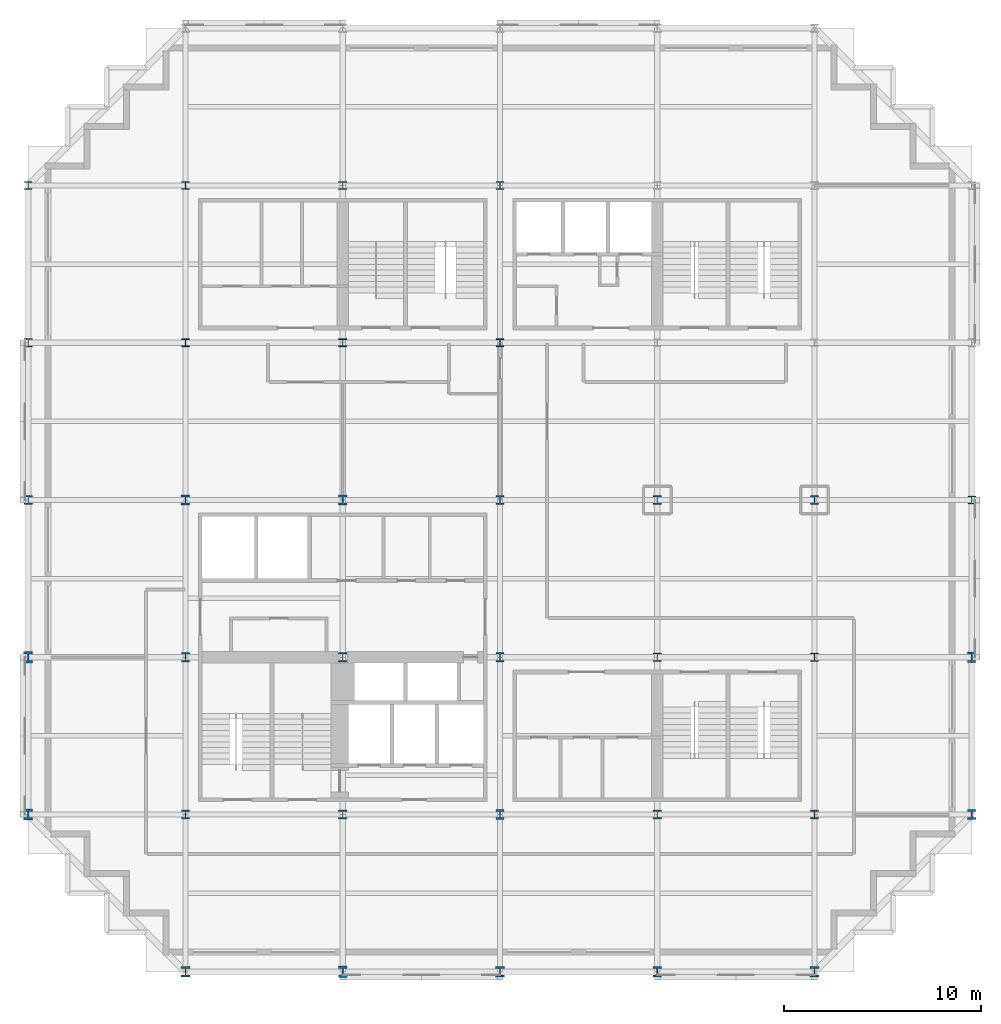
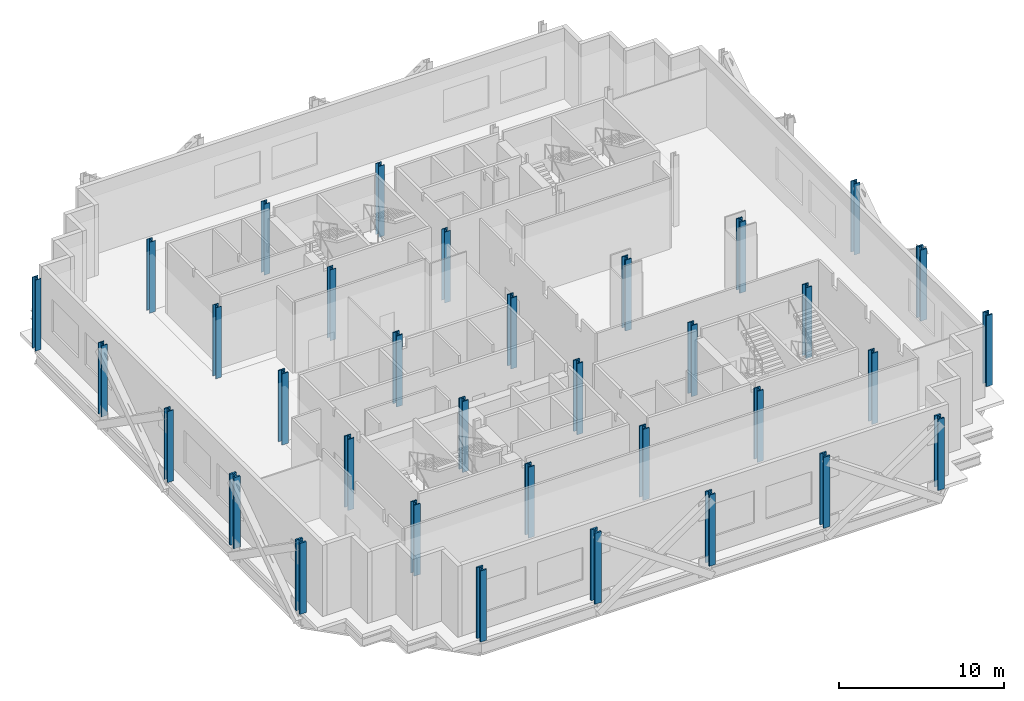
# One storey, part 1 of 10: 34 columns.
"""IFC4 building model written with IfcOpenShell, lengths in metres."""

from ifc_helpers import new_model, si_unit, direction, frame, origin, origin_2d, place, context, subcontext, project, spatial, i_section, extrude, material, material_profile, profile_set, type_object, element, save


model = new_model("IFC4")

# Units and contexts
model_context = context("Model", 3, precision=1e-05, world=origin(), true_north=direction((0.0, 1.0)))
body_context = subcontext(model_context, "Body", "Model", "MODEL_VIEW")
ifc_project = project(units=[si_unit("LENGTHUNIT", "METRE"), si_unit("AREAUNIT", "SQUARE_METRE"), si_unit("VOLUMEUNIT", "CUBIC_METRE"), si_unit("PLANEANGLEUNIT", "RADIAN"), si_unit("MASSUNIT", "GRAM", prefix="KILO")], contexts=[model_context])

# Site, building, storey
site_placement = place(None, origin())
site = spatial("IfcSite", under=ifc_project, at=site_placement, CompositionType="ELEMENT")
building_placement = place(site_placement, origin())
building = spatial("IfcBuilding", under=site, at=building_placement, Name="Immortelle Media Tower", CompositionType="ELEMENT")
storey_placement = place(building_placement, frame((0.0, 0.0, 29.39990234375)))
storey = spatial("IfcBuildingStorey", under=building, at=storey_placement, Name="L03", CompositionType="ELEMENT", Elevation=29.39990234375)

# Columns
ifc_material = material(Name="Steel ASTM A992 Gr 50", Category="steel")
ifc_material_profile_1 = material_profile(ifc_material, i_section(OverallWidth=0.39892578125, OverallDepth=0.385986328125, WebThickness=0.02099609375, FlangeThickness=0.032958984375, at=origin_2d()), Name="W14x176")
ifc_profile_set_1 = profile_set([ifc_material_profile_1], Name="Steel ASTM A992 Gr 50")
column_type_1 = type_object("IfcColumnType", Name="W14x176 column", PredefinedType="COLUMN", material=ifc_profile_set_1)
for number, where, z_axis, x_axis, name in (
    (1, (8.0, 32.0, 0.0), (0.0, 0.0, 1.0), (1.0, 0.0, 0.0), "Column 2/E"),
    (2, (8.0, 40.0, 0.0), (0.0, 0.0, 1.0), (1.0, 0.0, 0.0), "Column 2/F"),
    (3, (16.0, 32.0, 0.0), (0.0, 0.0, 1.0), (1.0, 0.0, 0.0), "Column 3/E"),
    (4, (16.0, 40.0, 0.0), (0.0, 0.0, 1.0), (1.0, 0.0, 0.0), "Column 3/F"),
):
    element("IfcColumn", number, at=place(storey_placement, frame(where, z_axis=z_axis, x_axis=x_axis)), inside=storey, type_object=column_type_1, Name=name, PredefinedType="COLUMN", context=body_context, shape_type="SweptSolid", body=[
        extrude(i_section(OverallWidth=0.39892578125, OverallDepth=0.385986328125, WebThickness=0.02099609375, FlangeThickness=0.032958984375, at=origin_2d()), origin(), (0.0, 0.0, 1.0), 5.25),
    ])
ifc_material_profile_2 = material_profile(ifc_material, i_section(OverallWidth=0.40087890625, OverallDepth=0.39892578125, WebThickness=0.02490234375, FlangeThickness=0.0400390625, at=origin_2d()), Name="W14x211")
ifc_profile_set_2 = profile_set([ifc_material_profile_2], Name="Steel ASTM A992 Gr 50")
column_type_2 = type_object("IfcColumnType", Name="W14x211 column", PredefinedType="COLUMN", material=ifc_profile_set_2)
for number, where, z_axis, x_axis, name in (
    (5, (24.0, 32.0, 0.0), (0.0, 0.0, 1.0), (1.0, 0.0, 0.0), "Column 4/E"),
    (6, (24.0, 40.0, 0.0), (0.0, 0.0, 1.0), (1.0, 0.0, 0.0), "Column 4/F"),
):
    element("IfcColumn", number, at=place(storey_placement, frame(where, z_axis=z_axis, x_axis=x_axis)), inside=storey, type_object=column_type_2, Name=name, PredefinedType="COLUMN", context=body_context, shape_type="SweptSolid", body=[
        extrude(i_section(OverallWidth=0.40087890625, OverallDepth=0.39892578125, WebThickness=0.02490234375, FlangeThickness=0.0400390625, at=origin_2d()), origin(), (0.0, 0.0, 1.0), 5.25),
    ])
ifc_material_profile_3 = material_profile(ifc_material, i_section(OverallWidth=0.406005859375, OverallDepth=0.4169921875, WebThickness=0.030029296875, FlangeThickness=0.048095703125, at=origin_2d()), Name="W14x257")
ifc_profile_set_3 = profile_set([ifc_material_profile_3], Name="Steel ASTM A992 Gr 50")
column_type_3 = type_object("IfcColumnType", Name="W14x257 column", PredefinedType="COLUMN", material=ifc_profile_set_3)
for number, where, z_axis, x_axis, name in (
    (7, (0.0, 40.0, 0.0), (0.0, 0.0, 1.0), (1.0, 0.0, 0.0), "Column 1/F"),
    (8, (48.0, 24.0, 0.0), (0.0, 0.0, 1.0), (1.0, 0.0, 0.0), "Column 7/D"),
):
    element("IfcColumn", number, at=place(storey_placement, frame(where, z_axis=z_axis, x_axis=x_axis)), inside=storey, type_object=column_type_3, Name=name, PredefinedType="COLUMN", context=body_context, shape_type="SweptSolid", body=[
        extrude(i_section(OverallWidth=0.406005859375, OverallDepth=0.4169921875, WebThickness=0.030029296875, FlangeThickness=0.048095703125, at=origin_2d()), origin(), (0.0, 0.0, 1.0), 5.25),
    ])
ifc_material_profile_4 = material_profile(ifc_material, i_section(OverallWidth=0.410888671875, OverallDepth=0.43408203125, WebThickness=0.035888671875, FlangeThickness=0.056884765625, at=origin_2d()), Name="W14x311")
ifc_profile_set_4 = profile_set([ifc_material_profile_4], Name="Steel ASTM A992 Gr 50")
column_type_4 = type_object("IfcColumnType", Name="W14x311 column", PredefinedType="COLUMN", material=ifc_profile_set_4)
for number, where, z_axis, x_axis, name in (
    (9, (0.0, 24.0, 0.0), (0.0, 0.0, 1.0), (1.0, 0.0, 0.0), "Column 1/D"),
    (10, (0.0, 32.0, 0.0), (0.0, 0.0, 1.0), (1.0, 0.0, 0.0), "Column 1/E"),
):
    element("IfcColumn", number, at=place(storey_placement, frame(where, z_axis=z_axis, x_axis=x_axis)), inside=storey, type_object=column_type_4, Name=name, PredefinedType="COLUMN", context=body_context, shape_type="SweptSolid", body=[
        extrude(i_section(OverallWidth=0.410888671875, OverallDepth=0.43408203125, WebThickness=0.035888671875, FlangeThickness=0.056884765625, at=origin_2d()), origin(), (0.0, 0.0, 1.0), 5.25),
    ])
ifc_material_profile_5 = material_profile(ifc_material, i_section(OverallWidth=0.4189453125, OverallDepth=0.455078125, WebThickness=0.0419921875, FlangeThickness=0.068115234375, at=origin_2d()), Name="W14x370")
ifc_profile_set_5 = profile_set([ifc_material_profile_5], Name="Steel ASTM A992 Gr 50")
column_type_5 = type_object("IfcColumnType", Name="W14x370 column", PredefinedType="COLUMN", material=ifc_profile_set_5)
for number, where, z_axis, x_axis, name in (
    (11, (32.0, 8.0, 0.0), (0.0, 0.0, 1.0), (1.0, 0.0, 0.0), "Column 5/B"),
    (12, (32.0, 16.0, 0.0), (0.0, 0.0, 1.0), (1.0, 0.0, 0.0), "Column 5/C"),
    (13, (40.0, 8.0, 0.0), (0.0, 0.0, 1.0), (1.0, 0.0, 0.0), "Column 6/B"),
    (14, (40.0, 16.0, 0.0), (0.0, 0.0, 1.0), (1.0, 0.0, 0.0), "Column 6/C"),
):
    element("IfcColumn", number, at=place(storey_placement, frame(where, z_axis=z_axis, x_axis=x_axis)), inside=storey, type_object=column_type_5, Name=name, PredefinedType="COLUMN", context=body_context, shape_type="SweptSolid", body=[
        extrude(i_section(OverallWidth=0.4189453125, OverallDepth=0.455078125, WebThickness=0.0419921875, FlangeThickness=0.068115234375, at=origin_2d()), origin(), (0.0, 0.0, 1.0), 5.25),
    ])
ifc_material_profile_6 = material_profile(ifc_material, i_section(OverallWidth=0.424072265625, OverallDepth=0.47509765625, WebThickness=0.048095703125, FlangeThickness=0.076904296875, at=origin_2d()), Name="W14x426")
ifc_profile_set_6 = profile_set([ifc_material_profile_6], Name="Steel ASTM A992 Gr 50")
column_type_6 = type_object("IfcColumnType", Name="W14x426 column", PredefinedType="COLUMN", material=ifc_profile_set_6)
for number, where, z_axis, x_axis, name in (
    (15, (8.0, 8.0, 0.0), (0.0, 0.0, 1.0), (1.0, 0.0, 0.0), "Column 2/B"),
    (16, (8.0, 16.0, 0.0), (0.0, 0.0, 1.0), (1.0, 0.0, 0.0), "Column 2/C"),
    (17, (16.0, 8.0, 0.0), (0.0, 0.0, 1.0), (1.0, 0.0, 0.0), "Column 3/B"),
    (18, (16.0, 16.0, 0.0), (0.0, 0.0, 1.0), (1.0, 0.0, 0.0), "Column 3/C"),
    (19, (24.0, 24.0, 0.0), (0.0, 0.0, 1.0), (1.0, 0.0, 0.0), "Column 4/D"),
    (20, (32.0, 24.0, 0.0), (0.0, 0.0, 1.0), (1.0, 0.0, 0.0), "Column 5/D"),
    (21, (40.0, 24.0, 0.0), (0.0, 0.0, 1.0), (1.0, 0.0, 0.0), "Column 6/D"),
):
    element("IfcColumn", number, at=place(storey_placement, frame(where, z_axis=z_axis, x_axis=x_axis)), inside=storey, type_object=column_type_6, Name=name, PredefinedType="COLUMN", context=body_context, shape_type="SweptSolid", body=[
        extrude(i_section(OverallWidth=0.424072265625, OverallDepth=0.47509765625, WebThickness=0.048095703125, FlangeThickness=0.076904296875, at=origin_2d()), origin(), (0.0, 0.0, 1.0), 5.25),
    ])
ifc_material_profile_7 = material_profile(ifc_material, i_section(OverallWidth=0.431884765625, OverallDepth=0.498046875, WebThickness=0.055908203125, FlangeThickness=0.089111328125, at=origin_2d()), Name="W14x500")
ifc_profile_set_7 = profile_set([ifc_material_profile_7], Name="Steel ASTM A992 Gr 50")
column_type_7 = type_object("IfcColumnType", Name="W14x500 column", PredefinedType="COLUMN", material=ifc_profile_set_7)
for number, where, z_axis, x_axis, name in (
    (22, (8.0, 24.0, 0.0), (0.0, 0.0, 1.0), (1.0, 0.0, 0.0), "Column 2/D"),
    (23, (16.0, 24.0, 0.0), (0.0, 0.0, 1.0), (1.0, 0.0, 0.0), "Column 3/D"),
    (24, (24.0, 8.0, 0.0), (0.0, 0.0, 1.0), (1.0, 0.0, 0.0), "Column 4/B"),
    (25, (24.0, 16.0, 0.0), (0.0, 0.0, 1.0), (1.0, 0.0, 0.0), "Column 4/C"),
    (26, (48.0, 8.0, 0.0), (0.0, 0.0, 1.0), (1.0, 0.0, 0.0), "Column 7/B"),
):
    element("IfcColumn", number, at=place(storey_placement, frame(where, z_axis=z_axis, x_axis=x_axis)), inside=storey, type_object=column_type_7, Name=name, PredefinedType="COLUMN", context=body_context, shape_type="SweptSolid", body=[
        extrude(i_section(OverallWidth=0.431884765625, OverallDepth=0.498046875, WebThickness=0.055908203125, FlangeThickness=0.089111328125, at=origin_2d()), origin(), (0.0, 0.0, 1.0), 5.25),
    ])
ifc_material_profile_8 = material_profile(ifc_material, i_section(OverallWidth=0.44189453125, OverallDepth=0.531005859375, WebThickness=0.06591796875, FlangeThickness=0.10595703125, at=origin_2d()), Name="W14x605")
ifc_profile_set_8 = profile_set([ifc_material_profile_8], Name="Steel ASTM A992 Gr 50")
column_type_8 = type_object("IfcColumnType", Name="W14x605 column", PredefinedType="COLUMN", material=ifc_profile_set_8)
for number, where, z_axis, x_axis, name in (
    (27, (8.0, 0.0, 0.0), (0.0, 0.0, 1.0), (1.0, 0.0, 0.0), "Column 2/A"),
    (28, (24.0, 0.0, 0.0), (0.0, 0.0, 1.0), (1.0, 0.0, 0.0), "Column 4/A"),
    (29, (32.0, 0.0, 0.0), (0.0, 0.0, 1.0), (1.0, 0.0, 0.0), "Column 5/A"),
    (30, (40.0, 0.0, 0.0), (0.0, 0.0, 1.0), (1.0, 0.0, 0.0), "Column 6/A"),
    (31, (48.0, 16.0, 0.0), (0.0, 0.0, 1.0), (1.0, 0.0, 0.0), "Column 7/C"),
):
    element("IfcColumn", number, at=place(storey_placement, frame(where, z_axis=z_axis, x_axis=x_axis)), inside=storey, type_object=column_type_8, Name=name, PredefinedType="COLUMN", context=body_context, shape_type="SweptSolid", body=[
        extrude(i_section(OverallWidth=0.44189453125, OverallDepth=0.531005859375, WebThickness=0.06591796875, FlangeThickness=0.10595703125, at=origin_2d()), origin(), (0.0, 0.0, 1.0), 5.25),
    ])
ifc_material_profile_9 = material_profile(ifc_material, i_section(OverallWidth=0.455078125, OverallDepth=0.569091796875, WebThickness=0.077880859375, FlangeThickness=0.125, at=origin_2d()), Name="W14x730")
ifc_profile_set_9 = profile_set([ifc_material_profile_9], Name="Steel ASTM A992 Gr 50")
column_type_9 = type_object("IfcColumnType", Name="W14x730 column", PredefinedType="COLUMN", material=ifc_profile_set_9)
for number, where, z_axis, x_axis, name in (
    (32, (0.0, 8.0, 0.0), (0.0, 0.0, 1.0), (1.0, 0.0, 0.0), "Column 1/B"),
    (33, (0.0, 16.0, 0.0), (0.0, 0.0, 1.0), (1.0, 0.0, 0.0), "Column 1/C"),
    (34, (16.0, 0.0, 0.0), (0.0, 0.0, 1.0), (1.0, 0.0, 0.0), "Column 3/A"),
):
    element("IfcColumn", number, at=place(storey_placement, frame(where, z_axis=z_axis, x_axis=x_axis)), inside=storey, type_object=column_type_9, Name=name, PredefinedType="COLUMN", context=body_context, shape_type="SweptSolid", body=[
        extrude(i_section(OverallWidth=0.455078125, OverallDepth=0.569091796875, WebThickness=0.077880859375, FlangeThickness=0.125, at=origin_2d()), origin(), (0.0, 0.0, 1.0), 5.25),
    ])

save(model, "model.ifc")
